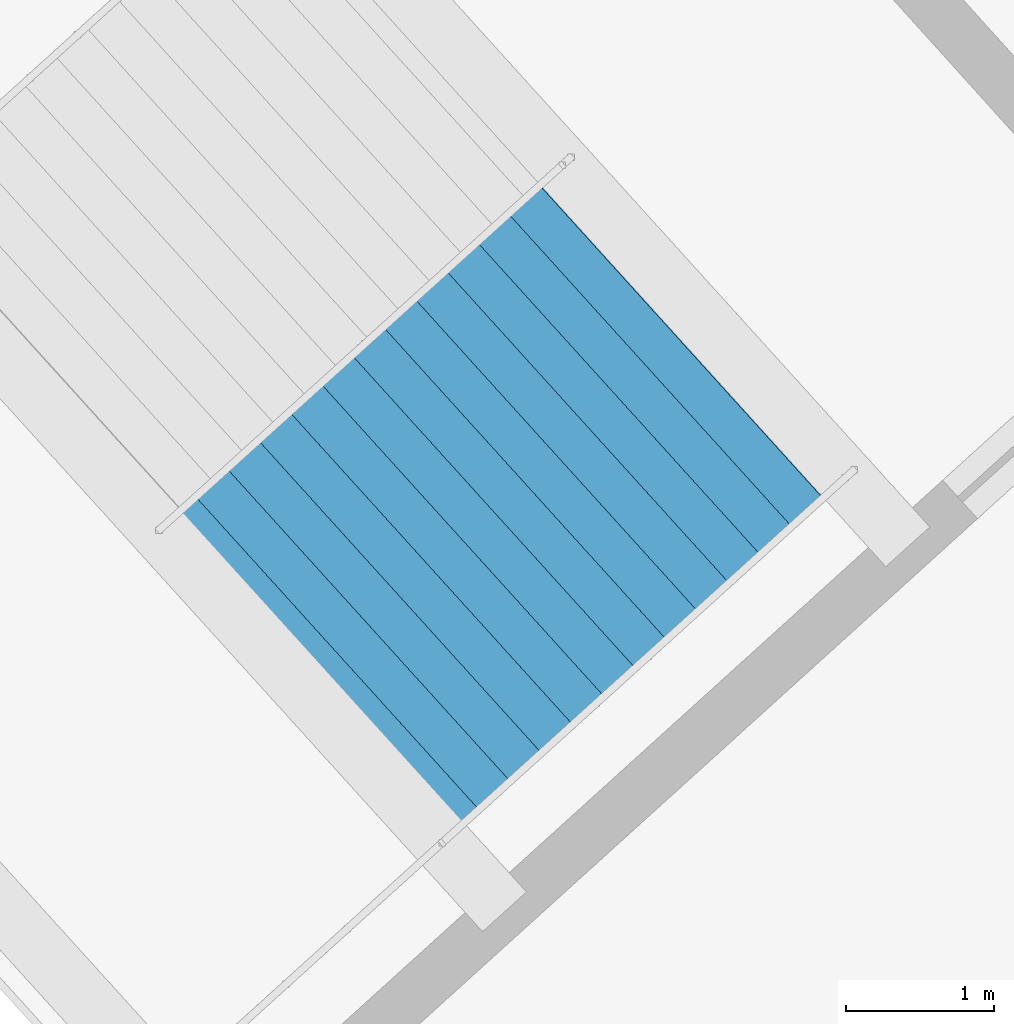
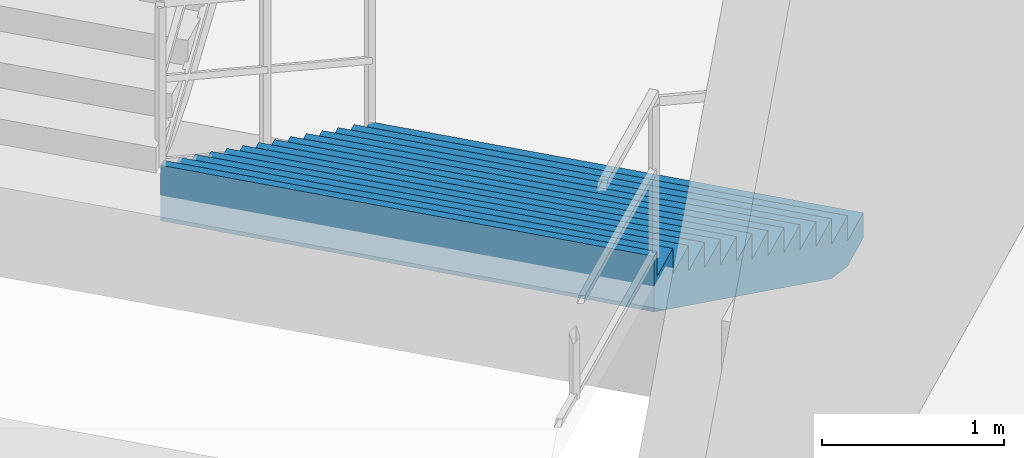
# One storey, part 156 of 171: 1 stair flight, 1 element without a shape of its own.
"""IFC4 building model written with IfcOpenShell, lengths in metres."""

from ifc_helpers import new_model, si_unit, direction, frame, origin, place, context, subcontext, project, spatial, polygons, material, type_object, element, aggregate, save


model = new_model("IFC4")

# Units and contexts
model_context = context("Model", 3, precision=1e-05, world=origin(), true_north=direction((0.0, 1.0)))
body_context = subcontext(model_context, "Body", "Model", "MODEL_VIEW")
ifc_project = project(units=[si_unit("LENGTHUNIT", "METRE"), si_unit("AREAUNIT", "SQUARE_METRE"), si_unit("VOLUMEUNIT", "CUBIC_METRE"), si_unit("PLANEANGLEUNIT", "RADIAN"), si_unit("MASSUNIT", "GRAM", prefix="KILO")], contexts=[model_context])

# Site, building, storey
site_placement = place(None, origin())
site = spatial("IfcSite", under=ifc_project, at=site_placement, CompositionType="ELEMENT")
building_placement = place(site_placement, origin())
building = spatial("IfcBuilding", under=site, at=building_placement, Name="Kazemori Nagisa Stadium", CompositionType="ELEMENT")
storey_placement = place(building_placement, frame((0.0, 0.0, 15.639892578125)))
storey = spatial("IfcBuildingStorey", under=building, at=storey_placement, Name="L03", CompositionType="ELEMENT", Elevation=15.639892578125)

# Stair, stair flight
ifc_material = material(Name="Concrete C36/45 (Fc36)", Category="concrete")
stair_type = type_object("IfcStairType", Name="Stair_CORE_28", PredefinedType="TWO_STRAIGHT_RUN_STAIR", material=ifc_material)
stair_placement = place(storey_placement, origin())
stair = element("IfcStair", 1, at=stair_placement, inside=storey, type_object=stair_type, Name="Exit stair ST02 L03", PredefinedType="TWO_STRAIGHT_RUN_STAIR")
stair_flight_type = type_object("IfcStairFlightType", Name="Flight_CORE_14", PredefinedType="STRAIGHT", material=ifc_material)
stair_flight_placement = place(storey_placement, frame((63.22412109375, 164.589599609375, 0.0), z_axis=(0.0, 0.0, 1.0), x_axis=(-0.741324991793, -0.671146225903, 0.0)))
stair_flight = element("IfcStairFlight", 2, at=stair_flight_placement, type_object=stair_flight_type, Name="Exit stair ST02 L03 flight 1", NumberOfRisers=14, NumberOfTreads=13, PredefinedType="STRAIGHT", RiserHeight=0.17, TreadLength=0.285, context=body_context, shape_type="Tessellation", body=[
    polygons([(0.0, -1.425048828125, 0.0), (0.0, -1.425048828125, 0.169921875), (0.284912109375, -1.425048828125, 0.169921875), (0.284912109375, -1.425048828125, 0.340087890625), (0.570068359375, -1.425048828125, 0.340087890625), (0.570068359375, -1.425048828125, 0.510009765625), (0.85498046875, -1.425048828125, 0.510009765625), (0.85498046875, -1.425048828125, 0.679931640625), (1.139892578125, -1.425048828125, 0.679931640625), (1.139892578125, -1.425048828125, 0.85009765625), (1.425048828125, -1.425048828125, 0.85009765625), (1.425048828125, -1.425048828125, 1.02001953125), (1.7099609375, -1.425048828125, 1.02001953125), (1.7099609375, -1.425048828125, 1.18994140625), (1.9951171875, -1.425048828125, 1.18994140625), (1.9951171875, -1.425048828125, 1.360107421875), (2.280029296875, -1.425048828125, 1.360107421875), (2.280029296875, -1.425048828125, 1.530029296875), (2.56494140625, -1.425048828125, 1.530029296875), (2.56494140625, -1.425048828125, 1.699951171875), (2.85009765625, -1.425048828125, 1.699951171875), (2.85009765625, -1.425048828125, 1.8701171875), (3.135009765625, -1.425048828125, 1.8701171875), (3.135009765625, -1.425048828125, 2.0400390625), (3.419921875, -1.425048828125, 2.0400390625), (3.419921875, -1.425048828125, 2.2099609375), (3.705078125, -1.425048828125, 2.2099609375), (3.705078125, -1.425048828125, 2.3798828125), (3.7548828125, -1.425048828125, 2.3798828125), (3.7548828125, -1.425048828125, 2.007080078125), (3.705078125, -1.425048828125, 1.977294921875), (3.419921875, -1.425048828125, 1.80712890625), (3.135009765625, -1.425048828125, 1.63720703125), (2.85009765625, -1.425048828125, 1.46728515625), (2.56494140625, -1.425048828125, 1.297119140625), (2.280029296875, -1.425048828125, 1.127197265625), (1.9951171875, -1.425048828125, 0.957275390625), (1.7099609375, -1.425048828125, 0.787109375), (1.425048828125, -1.425048828125, 0.6171875), (1.139892578125, -1.425048828125, 0.447265625), (0.85498046875, -1.425048828125, 0.277099609375), (0.570068359375, -1.425048828125, 0.107177734375), (0.284912109375, -1.425048828125, 0.0), (0.0, -0.08544921875, 0.0), (0.0, -0.08544921875, 0.169921875), (0.284912109375, -0.08544921875, 0.169921875), (0.284912109375, -0.08544921875, 0.340087890625), (0.570068359375, -0.08544921875, 0.340087890625), (0.570068359375, -0.08544921875, 0.510009765625), (0.85498046875, -0.08544921875, 0.510009765625), (0.85498046875, -0.08544921875, 0.679931640625), (1.139892578125, -0.08544921875, 0.679931640625), (1.139892578125, -0.08544921875, 0.85009765625), (1.425048828125, -0.08544921875, 0.85009765625), (1.425048828125, -0.08544921875, 1.02001953125), (1.7099609375, -0.08544921875, 1.02001953125), (1.7099609375, -0.08544921875, 1.18994140625), (1.9951171875, -0.08544921875, 1.18994140625), (1.9951171875, -0.08544921875, 1.360107421875), (2.280029296875, -0.08544921875, 1.360107421875), (2.280029296875, -0.08544921875, 1.530029296875), (2.56494140625, -0.08544921875, 1.530029296875), (2.56494140625, -0.08544921875, 1.699951171875), (2.85009765625, -0.08544921875, 1.699951171875), (2.85009765625, -0.08544921875, 1.8701171875), (3.135009765625, -0.08544921875, 1.8701171875), (3.135009765625, -0.08544921875, 2.0400390625), (3.419921875, -0.08544921875, 2.0400390625), (3.419921875, -0.08544921875, 2.2099609375), (3.705078125, -0.08544921875, 2.2099609375), (3.705078125, -0.08544921875, 2.3798828125), (3.7548828125, -0.08544921875, 2.3798828125), (3.7548828125, -0.08544921875, 2.007080078125), (3.705078125, -0.08544921875, 1.977294921875), (3.419921875, -0.08544921875, 1.80712890625), (3.135009765625, -0.08544921875, 1.63720703125), (2.85009765625, -0.08544921875, 1.46728515625), (2.56494140625, -0.08544921875, 1.297119140625), (2.280029296875, -0.08544921875, 1.127197265625), (1.9951171875, -0.08544921875, 0.957275390625), (1.7099609375, -0.08544921875, 0.787109375), (1.425048828125, -0.08544921875, 0.6171875), (1.139892578125, -0.08544921875, 0.447265625), (0.85498046875, -0.08544921875, 0.277099609375), (0.570068359375, -0.08544921875, 0.107177734375), (0.284912109375, -0.08544921875, 0.0), (0.0, 0.0, 0.0), (0.0, 0.0, 0.169921875), (0.284912109375, 0.0, 0.169921875), (0.284912109375, 0.0, 0.340087890625), (0.570068359375, 0.0, 0.340087890625), (0.570068359375, 0.0, 0.510009765625), (0.85498046875, 0.0, 0.510009765625), (0.85498046875, 0.0, 0.679931640625), (1.139892578125, 0.0, 0.679931640625), (1.139892578125, 0.0, 0.85009765625), (1.425048828125, 0.0, 0.85009765625), (1.425048828125, 0.0, 1.02001953125), (1.7099609375, 0.0, 1.02001953125), (1.7099609375, 0.0, 1.18994140625), (1.9951171875, 0.0, 1.18994140625), (1.9951171875, 0.0, 1.360107421875), (2.280029296875, 0.0, 1.360107421875), (2.280029296875, 0.0, 1.530029296875), (2.56494140625, 0.0, 1.530029296875), (2.56494140625, 0.0, 1.699951171875), (2.85009765625, 0.0, 1.699951171875), (2.85009765625, 0.0, 1.8701171875), (3.135009765625, 0.0, 1.8701171875), (3.135009765625, 0.0, 2.0400390625), (3.419921875, 0.0, 2.0400390625), (3.419921875, 0.0, 2.2099609375), (3.705078125, 0.0, 2.2099609375), (3.705078125, 0.0, 2.3798828125), (3.7548828125, 0.0, 2.3798828125), (3.7548828125, 0.0, 2.007080078125), (3.705078125, 0.0, 1.977294921875), (3.419921875, 0.0, 1.80712890625), (3.135009765625, 0.0, 1.63720703125), (2.85009765625, 0.0, 1.46728515625), (2.56494140625, 0.0, 1.297119140625), (2.280029296875, 0.0, 1.127197265625), (1.9951171875, 0.0, 0.957275390625), (1.7099609375, 0.0, 0.787109375), (1.425048828125, 0.0, 0.6171875), (1.139892578125, 0.0, 0.447265625), (0.85498046875, 0.0, 0.277099609375), (0.570068359375, 0.0, 0.107177734375), (0.284912109375, 0.0, 0.0), (0.0, 0.08544921875, 0.0), (0.0, 0.08544921875, 0.169921875), (0.284912109375, 0.08544921875, 0.169921875), (0.284912109375, 0.08544921875, 0.340087890625), (0.570068359375, 0.08544921875, 0.340087890625), (0.570068359375, 0.08544921875, 0.510009765625), (0.85498046875, 0.08544921875, 0.510009765625), (0.85498046875, 0.08544921875, 0.679931640625), (1.139892578125, 0.08544921875, 0.679931640625), (1.139892578125, 0.08544921875, 0.85009765625), (1.425048828125, 0.08544921875, 0.85009765625), (1.425048828125, 0.08544921875, 1.02001953125), (1.7099609375, 0.08544921875, 1.02001953125), (1.7099609375, 0.08544921875, 1.18994140625), (1.9951171875, 0.08544921875, 1.18994140625), (1.9951171875, 0.08544921875, 1.360107421875), (2.280029296875, 0.08544921875, 1.360107421875), (2.280029296875, 0.08544921875, 1.530029296875), (2.56494140625, 0.08544921875, 1.530029296875), (2.56494140625, 0.08544921875, 1.699951171875), (2.85009765625, 0.08544921875, 1.699951171875), (2.85009765625, 0.08544921875, 1.8701171875), (3.135009765625, 0.08544921875, 1.8701171875), (3.135009765625, 0.08544921875, 2.0400390625), (3.419921875, 0.08544921875, 2.0400390625), (3.419921875, 0.08544921875, 2.2099609375), (3.705078125, 0.08544921875, 2.2099609375), (3.705078125, 0.08544921875, 2.3798828125), (3.7548828125, 0.08544921875, 2.3798828125), (3.7548828125, 0.08544921875, 2.007080078125), (3.705078125, 0.08544921875, 1.977294921875), (3.419921875, 0.08544921875, 1.80712890625), (3.135009765625, 0.08544921875, 1.63720703125), (2.85009765625, 0.08544921875, 1.46728515625), (2.56494140625, 0.08544921875, 1.297119140625), (2.280029296875, 0.08544921875, 1.127197265625), (1.9951171875, 0.08544921875, 0.957275390625), (1.7099609375, 0.08544921875, 0.787109375), (1.425048828125, 0.08544921875, 0.6171875), (1.139892578125, 0.08544921875, 0.447265625), (0.85498046875, 0.08544921875, 0.277099609375), (0.570068359375, 0.08544921875, 0.107177734375), (0.284912109375, 0.08544921875, 0.0), (0.0, 1.425048828125, 0.0), (0.0, 1.425048828125, 0.169921875), (0.284912109375, 1.425048828125, 0.169921875), (0.284912109375, 1.425048828125, 0.340087890625), (0.570068359375, 1.425048828125, 0.340087890625), (0.570068359375, 1.425048828125, 0.510009765625), (0.85498046875, 1.425048828125, 0.510009765625), (0.85498046875, 1.425048828125, 0.679931640625), (1.139892578125, 1.425048828125, 0.679931640625), (1.139892578125, 1.425048828125, 0.85009765625), (1.425048828125, 1.425048828125, 0.85009765625), (1.425048828125, 1.425048828125, 1.02001953125), (1.7099609375, 1.425048828125, 1.02001953125), (1.7099609375, 1.425048828125, 1.18994140625), (1.9951171875, 1.425048828125, 1.18994140625), (1.9951171875, 1.425048828125, 1.360107421875), (2.280029296875, 1.425048828125, 1.360107421875), (2.280029296875, 1.425048828125, 1.530029296875), (2.56494140625, 1.425048828125, 1.530029296875), (2.56494140625, 1.425048828125, 1.699951171875), (2.85009765625, 1.425048828125, 1.699951171875), (2.85009765625, 1.425048828125, 1.8701171875), (3.135009765625, 1.425048828125, 1.8701171875), (3.135009765625, 1.425048828125, 2.0400390625), (3.419921875, 1.425048828125, 2.0400390625), (3.419921875, 1.425048828125, 2.2099609375), (3.705078125, 1.425048828125, 2.2099609375), (3.705078125, 1.425048828125, 2.3798828125), (3.7548828125, 1.425048828125, 2.3798828125), (3.7548828125, 1.425048828125, 2.007080078125), (3.705078125, 1.425048828125, 1.977294921875), (3.419921875, 1.425048828125, 1.80712890625), (3.135009765625, 1.425048828125, 1.63720703125), (2.85009765625, 1.425048828125, 1.46728515625), (2.56494140625, 1.425048828125, 1.297119140625), (2.280029296875, 1.425048828125, 1.127197265625), (1.9951171875, 1.425048828125, 0.957275390625), (1.7099609375, 1.425048828125, 0.787109375), (1.425048828125, 1.425048828125, 0.6171875), (1.139892578125, 1.425048828125, 0.447265625), (0.85498046875, 1.425048828125, 0.277099609375), (0.570068359375, 1.425048828125, 0.107177734375), (0.284912109375, 1.425048828125, 0.0)], [[[1, 2, 45]], [[1, 45, 44]], [[2, 3, 46]], [[2, 46, 45]], [[3, 4, 47]], [[3, 47, 46]], [[4, 5, 48]], [[4, 48, 47]], [[5, 6, 49]], [[5, 49, 48]], [[6, 7, 50]], [[6, 50, 49]], [[7, 8, 51]], [[7, 51, 50]], [[8, 9, 52]], [[8, 52, 51]], [[9, 10, 53]], [[9, 53, 52]], [[10, 11, 54]], [[10, 54, 53]], [[11, 12, 55]], [[11, 55, 54]], [[12, 13, 56]], [[12, 56, 55]], [[13, 14, 57]], [[13, 57, 56]], [[14, 15, 58]], [[14, 58, 57]], [[15, 16, 59]], [[15, 59, 58]], [[16, 17, 60]], [[16, 60, 59]], [[17, 18, 61]], [[17, 61, 60]], [[18, 19, 62]], [[18, 62, 61]], [[19, 20, 63]], [[19, 63, 62]], [[20, 21, 64]], [[20, 64, 63]], [[21, 22, 65]], [[21, 65, 64]], [[22, 23, 66]], [[22, 66, 65]], [[23, 24, 67]], [[23, 67, 66]], [[24, 25, 68]], [[24, 68, 67]], [[25, 26, 69]], [[25, 69, 68]], [[26, 27, 70]], [[26, 70, 69]], [[27, 28, 71]], [[27, 71, 70]], [[28, 29, 72]], [[28, 72, 71]], [[29, 30, 73]], [[29, 73, 72]], [[30, 31, 74]], [[30, 74, 73]], [[31, 32, 75]], [[31, 75, 74]], [[32, 33, 76]], [[32, 76, 75]], [[33, 34, 77]], [[33, 77, 76]], [[34, 35, 78]], [[34, 78, 77]], [[35, 36, 79]], [[35, 79, 78]], [[36, 37, 80]], [[36, 80, 79]], [[37, 38, 81]], [[37, 81, 80]], [[38, 39, 82]], [[38, 82, 81]], [[39, 40, 83]], [[39, 83, 82]], [[40, 41, 84]], [[40, 84, 83]], [[41, 42, 85]], [[41, 85, 84]], [[42, 43, 86]], [[42, 86, 85]], [[43, 1, 44]], [[43, 44, 86]], [[44, 45, 88]], [[44, 88, 87]], [[45, 46, 89]], [[45, 89, 88]], [[46, 47, 90]], [[46, 90, 89]], [[47, 48, 91]], [[47, 91, 90]], [[48, 49, 92]], [[48, 92, 91]], [[49, 50, 93]], [[49, 93, 92]], [[50, 51, 94]], [[50, 94, 93]], [[51, 52, 95]], [[51, 95, 94]], [[52, 53, 96]], [[52, 96, 95]], [[53, 54, 97]], [[53, 97, 96]], [[54, 55, 98]], [[54, 98, 97]], [[55, 56, 99]], [[55, 99, 98]], [[56, 57, 100]], [[56, 100, 99]], [[57, 58, 101]], [[57, 101, 100]], [[58, 59, 102]], [[58, 102, 101]], [[59, 60, 103]], [[59, 103, 102]], [[60, 61, 104]], [[60, 104, 103]], [[61, 62, 105]], [[61, 105, 104]], [[62, 63, 106]], [[62, 106, 105]], [[63, 64, 107]], [[63, 107, 106]], [[64, 65, 108]], [[64, 108, 107]], [[65, 66, 109]], [[65, 109, 108]], [[66, 67, 110]], [[66, 110, 109]], [[67, 68, 111]], [[67, 111, 110]], [[68, 69, 112]], [[68, 112, 111]], [[69, 70, 113]], [[69, 113, 112]], [[70, 71, 114]], [[70, 114, 113]], [[71, 72, 115]], [[71, 115, 114]], [[72, 73, 116]], [[72, 116, 115]], [[73, 74, 117]], [[73, 117, 116]], [[74, 75, 118]], [[74, 118, 117]], [[75, 76, 119]], [[75, 119, 118]], [[76, 77, 120]], [[76, 120, 119]], [[77, 78, 121]], [[77, 121, 120]], [[78, 79, 122]], [[78, 122, 121]], [[79, 80, 123]], [[79, 123, 122]], [[80, 81, 124]], [[80, 124, 123]], [[81, 82, 125]], [[81, 125, 124]], [[82, 83, 126]], [[82, 126, 125]], [[83, 84, 127]], [[83, 127, 126]], [[84, 85, 128]], [[84, 128, 127]], [[85, 86, 129]], [[85, 129, 128]], [[86, 44, 87]], [[86, 87, 129]], [[87, 88, 131]], [[87, 131, 130]], [[88, 89, 132]], [[88, 132, 131]], [[89, 90, 133]], [[89, 133, 132]], [[90, 91, 134]], [[90, 134, 133]], [[91, 92, 135]], [[91, 135, 134]], [[92, 93, 136]], [[92, 136, 135]], [[93, 94, 137]], [[93, 137, 136]], [[94, 95, 138]], [[94, 138, 137]], [[95, 96, 139]], [[95, 139, 138]], [[96, 97, 140]], [[96, 140, 139]], [[97, 98, 141]], [[97, 141, 140]], [[98, 99, 142]], [[98, 142, 141]], [[99, 100, 143]], [[99, 143, 142]], [[100, 101, 144]], [[100, 144, 143]], [[101, 102, 145]], [[101, 145, 144]], [[102, 103, 146]], [[102, 146, 145]], [[103, 104, 147]], [[103, 147, 146]], [[104, 105, 148]], [[104, 148, 147]], [[105, 106, 149]], [[105, 149, 148]], [[106, 107, 150]], [[106, 150, 149]], [[107, 108, 151]], [[107, 151, 150]], [[108, 109, 152]], [[108, 152, 151]], [[109, 110, 153]], [[109, 153, 152]], [[110, 111, 154]], [[110, 154, 153]], [[111, 112, 155]], [[111, 155, 154]], [[112, 113, 156]], [[112, 156, 155]], [[113, 114, 157]], [[113, 157, 156]], [[114, 115, 158]], [[114, 158, 157]], [[115, 116, 159]], [[115, 159, 158]], [[116, 117, 160]], [[116, 160, 159]], [[117, 118, 161]], [[117, 161, 160]], [[118, 119, 162]], [[118, 162, 161]], [[119, 120, 163]], [[119, 163, 162]], [[120, 121, 164]], [[120, 164, 163]], [[121, 122, 165]], [[121, 165, 164]], [[122, 123, 166]], [[122, 166, 165]], [[123, 124, 167]], [[123, 167, 166]], [[124, 125, 168]], [[124, 168, 167]], [[125, 126, 169]], [[125, 169, 168]], [[126, 127, 170]], [[126, 170, 169]], [[127, 128, 171]], [[127, 171, 170]], [[128, 129, 172]], [[128, 172, 171]], [[129, 87, 130]], [[129, 130, 172]], [[130, 131, 174]], [[130, 174, 173]], [[131, 132, 175]], [[131, 175, 174]], [[132, 133, 176]], [[132, 176, 175]], [[133, 134, 177]], [[133, 177, 176]], [[134, 135, 178]], [[134, 178, 177]], [[135, 136, 179]], [[135, 179, 178]], [[136, 137, 180]], [[136, 180, 179]], [[137, 138, 181]], [[137, 181, 180]], [[138, 139, 182]], [[138, 182, 181]], [[139, 140, 183]], [[139, 183, 182]], [[140, 141, 184]], [[140, 184, 183]], [[141, 142, 185]], [[141, 185, 184]], [[142, 143, 186]], [[142, 186, 185]], [[143, 144, 187]], [[143, 187, 186]], [[144, 145, 188]], [[144, 188, 187]], [[145, 146, 189]], [[145, 189, 188]], [[146, 147, 190]], [[146, 190, 189]], [[147, 148, 191]], [[147, 191, 190]], [[148, 149, 192]], [[148, 192, 191]], [[149, 150, 193]], [[149, 193, 192]], [[150, 151, 194]], [[150, 194, 193]], [[151, 152, 195]], [[151, 195, 194]], [[152, 153, 196]], [[152, 196, 195]], [[153, 154, 197]], [[153, 197, 196]], [[154, 155, 198]], [[154, 198, 197]], [[155, 156, 199]], [[155, 199, 198]], [[156, 157, 200]], [[156, 200, 199]], [[157, 158, 201]], [[157, 201, 200]], [[158, 159, 202]], [[158, 202, 201]], [[159, 160, 203]], [[159, 203, 202]], [[160, 161, 204]], [[160, 204, 203]], [[161, 162, 205]], [[161, 205, 204]], [[162, 163, 206]], [[162, 206, 205]], [[163, 164, 207]], [[163, 207, 206]], [[164, 165, 208]], [[164, 208, 207]], [[165, 166, 209]], [[165, 209, 208]], [[166, 167, 210]], [[166, 210, 209]], [[167, 168, 211]], [[167, 211, 210]], [[168, 169, 212]], [[168, 212, 211]], [[169, 170, 213]], [[169, 213, 212]], [[170, 171, 214]], [[170, 214, 213]], [[171, 172, 215]], [[171, 215, 214]], [[172, 130, 173]], [[172, 173, 215]], [[3, 2, 1]], [[173, 174, 175]], [[43, 3, 1]], [[173, 175, 215]], [[42, 3, 43]], [[215, 175, 214]], [[5, 3, 42]], [[214, 175, 177]], [[5, 4, 3]], [[175, 176, 177]], [[41, 5, 42]], [[214, 177, 213]], [[7, 5, 41]], [[213, 177, 179]], [[7, 6, 5]], [[177, 178, 179]], [[40, 7, 41]], [[213, 179, 212]], [[9, 7, 40]], [[212, 179, 181]], [[9, 8, 7]], [[179, 180, 181]], [[39, 9, 40]], [[212, 181, 211]], [[11, 9, 39]], [[211, 181, 183]], [[11, 10, 9]], [[181, 182, 183]], [[38, 11, 39]], [[211, 183, 210]], [[13, 11, 38]], [[210, 183, 185]], [[13, 12, 11]], [[183, 184, 185]], [[37, 13, 38]], [[210, 185, 209]], [[15, 13, 37]], [[209, 185, 187]], [[15, 14, 13]], [[185, 186, 187]], [[36, 15, 37]], [[209, 187, 208]], [[17, 15, 36]], [[208, 187, 189]], [[17, 16, 15]], [[187, 188, 189]], [[35, 17, 36]], [[208, 189, 207]], [[19, 17, 35]], [[207, 189, 191]], [[19, 18, 17]], [[189, 190, 191]], [[34, 19, 35]], [[207, 191, 206]], [[21, 19, 34]], [[206, 191, 193]], [[21, 20, 19]], [[191, 192, 193]], [[33, 21, 34]], [[206, 193, 205]], [[23, 21, 33]], [[205, 193, 195]], [[23, 22, 21]], [[193, 194, 195]], [[32, 23, 33]], [[205, 195, 204]], [[25, 23, 32]], [[204, 195, 197]], [[25, 24, 23]], [[195, 196, 197]], [[31, 25, 32]], [[204, 197, 203]], [[27, 25, 31]], [[203, 197, 199]], [[27, 26, 25]], [[197, 198, 199]], [[30, 27, 31]], [[203, 199, 202]], [[29, 27, 30]], [[202, 199, 201]], [[29, 28, 27]], [[199, 200, 201]]], closed=True),
])
aggregate(stair, [stair_flight])

save(model, "model.ifc")
